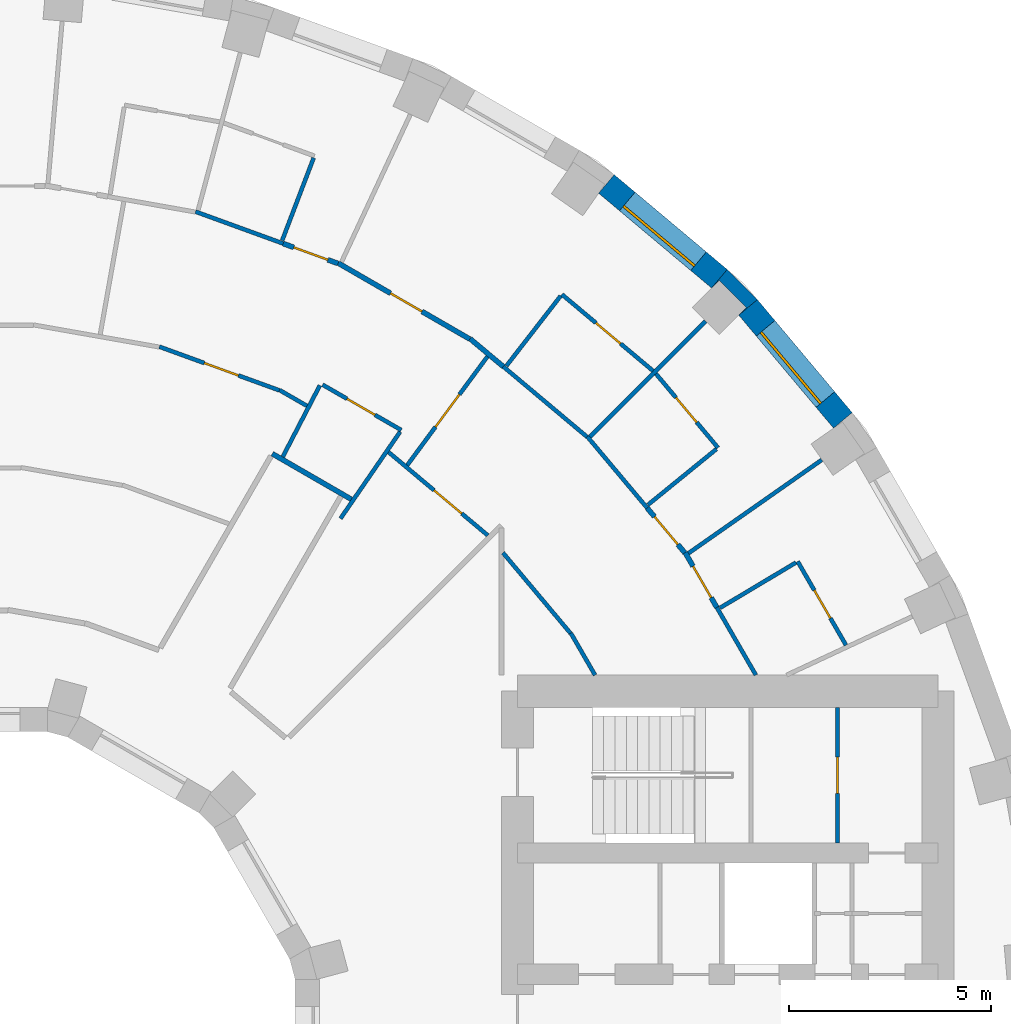
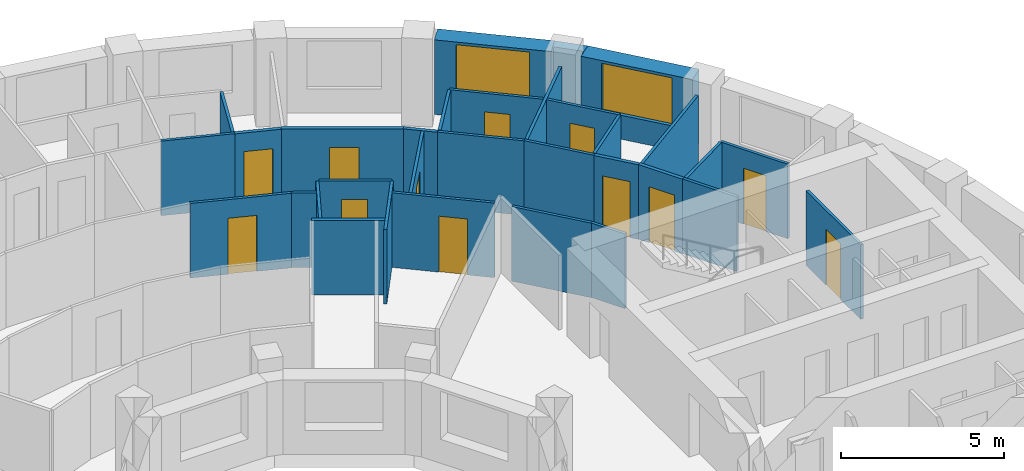
# One storey, part 12 of 14: 32 walls, 12 doors, 2 windows, 14 openings.
"""IFC4 building model written with IfcOpenShell, lengths in metres."""

import ifcopenshell
import ifcopenshell.guid

model = None  # the IFC model being written
_history = None  # IfcOwnerHistory: only IFC2X3 demands one
_inside = {}  # id of a spatial element -> (the spatial element, [elements in it])
_under = {}  # id of a project, library or spatial element -> (it, [spatial elements below it])
_declared = {}  # id of a project -> (the project, [libraries it declares])
_typed = {}  # id of a type object -> (the type object, [elements of that type])
_made_of = {}  # id of a material, layer set ... -> (it, [elements and type objects made of it])


def new_model(schema):
    """Start an empty IFC model of exactly this schema.

    Asked for "IFC4X3", IfcOpenShell would pick the latest addendum, in which some entities
    have other attributes; the version numbers below select the first issue.
    IFC2X3 requires an IfcOwnerHistory on every rooted entity: one is made here for all.
    """
    global model, _history
    if schema == "IFC4X3":
        model = ifcopenshell.file(schema_version=(4, 3, 0, 0))
    else:
        model = ifcopenshell.file(schema=schema)
    _inside.clear()
    _under.clear()
    _declared.clear()
    _typed.clear()
    _made_of.clear()
    _history = None
    if model.schema == "IFC2X3":
        org = make("IfcOrganization", Name="unknown")
        user = make(
            "IfcPersonAndOrganization",
            ThePerson=make("IfcPerson", FamilyName="unknown"),
            TheOrganization=org,
        )
        app = make(
            "IfcApplication",
            ApplicationDeveloper=org,
            Version="unknown",
            ApplicationFullName="unknown",
            ApplicationIdentifier="unknown",
        )
        _history = make(
            "IfcOwnerHistory",
            OwningUser=user,
            OwningApplication=app,
            ChangeAction="ADDED",
            CreationDate=0,
        )
    return model


def make(cls, **values):
    """One entity of the class cls with the attributes given. An attribute that is None is left unset."""
    return model.create_entity(
        cls, **{name: value for name, value in values.items() if value is not None}
    )


def rooted(cls, **values):
    """An entity with a GlobalId (a new one), such as an element, a storey or a relation."""
    return make(cls, GlobalId=ifcopenshell.guid.new(), OwnerHistory=_history, **values)


def si_unit(unit_type, name, prefix=None):
    """IfcSIUnit, for example si_unit("LENGTHUNIT", "METRE", prefix="MILLI")."""
    return make("IfcSIUnit", UnitType=unit_type, Prefix=prefix, Name=name)


def assignment(units):
    """IfcUnitAssignment: the units of a project."""
    return None if units is None else make("IfcUnitAssignment", Units=units)


def point(xyz):
    """IfcCartesianPoint."""
    return None if xyz is None else make("IfcCartesianPoint", Coordinates=xyz)


def direction(xyz):
    """IfcDirection."""
    return None if xyz is None else make("IfcDirection", DirectionRatios=xyz)


def frame(location, z_axis=None, x_axis=None):
    """IfcAxis2Placement3D, a coordinate frame: its origin and axes. An axis left out is left unset."""
    return make(
        "IfcAxis2Placement3D",
        Location=point(location),
        Axis=direction(z_axis),
        RefDirection=direction(x_axis),
    )


def frame_2d(location, x_axis=None):
    """IfcAxis2Placement2D, a coordinate frame in the plane: its origin and x axis."""
    return make(
        "IfcAxis2Placement2D", Location=point(location), RefDirection=direction(x_axis)
    )


def origin():
    """The frame at (0, 0, 0) with its axes left unset."""
    return frame((0.0, 0.0, 0.0))


def place(relative_to, where):
    """IfcLocalPlacement: puts the frame where relative to a parent placement (None: the world)."""
    return make(
        "IfcLocalPlacement", PlacementRelTo=relative_to, RelativePlacement=where
    )


def context(
    kind, dimensions, precision=None, world=None, true_north=None, identifier=None
):
    """IfcGeometricRepresentationContext, for example the 3D "Model" context."""
    return make(
        "IfcGeometricRepresentationContext",
        ContextIdentifier=identifier,
        ContextType=kind,
        CoordinateSpaceDimension=dimensions,
        Precision=precision,
        WorldCoordinateSystem=world,
        TrueNorth=true_north,
    )


def subcontext(parent, identifier, kind, view, scale=None):
    """IfcGeometricRepresentationSubContext, for example "Body" below "Model"."""
    return make(
        "IfcGeometricRepresentationSubContext",
        ContextIdentifier=identifier,
        ContextType=kind,
        ParentContext=parent,
        TargetScale=scale,
        TargetView=view,
    )


def project(units=None, contexts=None):
    """IfcProject with its units and contexts."""
    return rooted(
        "IfcProject",
        Name="project",
        RepresentationContexts=contexts,
        UnitsInContext=assignment(units),
    )


def spatial(cls, under=None, at=None, **own):
    """A site, building, storey or space (cls), placed at a placement, below another one or the project."""
    s = rooted(cls, ObjectPlacement=at, **own)
    if under is not None:
        _under.setdefault(under.id(), (under, []))[1].append(s)
    return s


def polyline(points):
    """IfcPolyline through the points."""
    return make("IfcPolyline", Points=[point(p) for p in points])


def profile(cls, at=None, kind="AREA", **sizes):
    """A parametric profile (cls). Its sizes go by their IFC names, for example OverallWidth=200.0."""
    return make(cls, ProfileType=kind, Position=at, **sizes)


def rectangle(**sizes):
    """IfcRectangleProfileDef."""
    return profile("IfcRectangleProfileDef", **sizes)


def outline(outer, holes=None, kind="AREA"):
    """IfcArbitraryClosedProfileDef: a profile drawn as a closed curve; with holes, ...WithVoids."""
    if holes is None:
        return make("IfcArbitraryClosedProfileDef", ProfileType=kind, OuterCurve=outer)
    return make(
        "IfcArbitraryProfileDefWithVoids",
        ProfileType=kind,
        OuterCurve=outer,
        InnerCurves=holes,
    )


def extrude(swept, where, along, depth):
    """IfcExtrudedAreaSolid: the profile swept, set in the frame where, extruded along a direction by depth."""
    return make(
        "IfcExtrudedAreaSolid",
        SweptArea=swept,
        Position=where,
        ExtrudedDirection=direction(along),
        Depth=depth,
    )


def shape(context_of_items, identifier, shape_type, items):
    """IfcShapeRepresentation: the items that make up one representation, for example the "Body"."""
    return make(
        "IfcShapeRepresentation",
        ContextOfItems=context_of_items,
        RepresentationIdentifier=identifier,
        RepresentationType=shape_type,
        Items=items,
    )


def material(Name=None, Category=None):
    """IfcMaterial."""
    return make("IfcMaterial", Name=Name, Category=Category)


def layer(
    of_material, thickness, ventilated=None, Name=None, Category=None, Priority=None
):
    """IfcMaterialLayer: one layer of a wall or slab, of a material (None: an air gap)."""
    return make(
        "IfcMaterialLayer",
        Material=of_material,
        LayerThickness=thickness,
        IsVentilated=ventilated,
        Name=Name,
        Category=Category,
        Priority=Priority,
    )


def layer_set(layers, Name=None):
    """IfcMaterialLayerSet."""
    return make("IfcMaterialLayerSet", MaterialLayers=layers, LayerSetName=Name)


def made_of(thing, what):
    """Note that an element or type object is made of a material, layer set ...; save() writes the relation."""
    if what is not None:
        _made_of.setdefault(what.id(), (what, []))[1].append(thing)
    return thing


def type_object(cls, material=None, **own):
    """A type object (cls), such as IfcWallType, which elements share."""
    return made_of(rooted(cls, **own), material)


def element(
    cls,
    number,
    at=None,
    inside=None,
    cuts=None,
    type_object=None,
    material=None,
    context=None,
    identifier="Body",
    shape_type=None,
    held_by="IfcProductDefinitionShape",
    body=None,
    shapes=None,
    **own,
):
    """One element of the class cls, such as IfcWall. Its Tag is "e" and its number.

    at: its placement. inside: the storey or other place that contains it. cuts: it is an
    opening in that element (IfcRelVoidsElement). A single representation is given by context,
    identifier, shape_type and body (its items); several are given by shapes. held_by: the class
    of the entity that holds the representations. save() writes the other relations.
    """
    e = rooted(cls, Tag="e%d" % number, ObjectPlacement=at, **own)
    if body is not None:
        shapes = [shape(context, identifier, shape_type, body)]
    if shapes is not None:
        e.Representation = make(held_by, Representations=shapes)
    if inside is not None:
        _inside.setdefault(inside.id(), (inside, []))[1].append(e)
    if cuts is not None:
        rooted(
            "IfcRelVoidsElement", RelatingBuildingElement=cuts, RelatedOpeningElement=e
        )
    if type_object is not None:
        _typed.setdefault(type_object.id(), (type_object, []))[1].append(e)
    return made_of(e, material)


def fill(opening, filler):
    """IfcRelFillsElement: the door or window that sits in an opening."""
    return rooted(
        "IfcRelFillsElement",
        RelatingOpeningElement=opening,
        RelatedBuildingElement=filler,
    )


def aggregate(whole, parts):
    """IfcRelAggregates: a whole, such as a stair, and the parts it consists of."""
    return rooted("IfcRelAggregates", RelatingObject=whole, RelatedObjects=parts)


def save(model, path):
    """Write the relations noted so far, then the file.

    IfcRelAggregates (storeys below a building ...), IfcRelContainedInSpatialStructure (elements
    in a storey), IfcRelDefinesByType, IfcRelAssociatesMaterial and IfcRelDeclares: one each for
    every whole, place, type object, material and project.
    """
    for whole, parts in _under.values():
        aggregate(whole, parts)
    for where, things in _inside.values():
        rooted(
            "IfcRelContainedInSpatialStructure",
            RelatedElements=things,
            RelatingStructure=where,
        )
    for kind, things in _typed.values():
        rooted("IfcRelDefinesByType", RelatedObjects=things, RelatingType=kind)
    for what, things in _made_of.values():
        rooted("IfcRelAssociatesMaterial", RelatedObjects=things, RelatingMaterial=what)
    for by, libraries in _declared.values():
        rooted("IfcRelDeclares", RelatingContext=by, RelatedDefinitions=libraries)
    model.write(path)


model = new_model("IFC4")

# Units and contexts
model_context = context("Model", 3, precision=1e-05, world=origin(), true_north=direction((0.0, 1.0)))
body_context = subcontext(model_context, "Body", "Model", "MODEL_VIEW")
ifc_project = project(units=[si_unit("LENGTHUNIT", "METRE"), si_unit("AREAUNIT", "SQUARE_METRE"), si_unit("VOLUMEUNIT", "CUBIC_METRE"), si_unit("PLANEANGLEUNIT", "RADIAN"), si_unit("MASSUNIT", "GRAM", prefix="KILO")], contexts=[model_context])

# Site, building, storey
site_placement = place(None, origin())
site = spatial("IfcSite", under=ifc_project, at=site_placement, CompositionType="ELEMENT")
building_placement = place(site_placement, origin())
building = spatial("IfcBuilding", under=site, at=building_placement, Name="Saqina Gate Tower", CompositionType="ELEMENT")
storey_placement = place(building_placement, frame((0.0, 0.0, 98.5)))
storey = spatial("IfcBuildingStorey", under=building, at=storey_placement, Name="L27", CompositionType="ELEMENT", Elevation=98.5)

# Wall
ifc_material_1 = material(Name="Brick masonry (buff)", Category="masonry")
wall_type_1 = type_object("IfcWallType", Name="BRICK PIER COPING BUFF", PredefinedType="SOLIDWALL", material=ifc_material_1)
wall_1_placement = place(storey_placement, origin())
element("IfcWall", 1, at=wall_1_placement, inside=storey, type_object=wall_type_1, Name="Pier cap L27 column 5", PredefinedType="SOLIDWALL", context=body_context, shape_type="SweptSolid", body=[
    extrude(outline(polyline([(19.43212890625, 18.686279296875), (18.686279296875, 19.43212890625), (18.30078125, 18.972412109375), (18.49072265625, 19.16259765625), (19.16259765625, 18.49072265625), (18.972412109375, 18.30078125), (19.43212890625, 18.686279296875)])), origin(), (0.0, 0.0, 1.0), 2.800048828125),
])

# Wall, opening, door
ifc_material_2 = material(Name="Gypsum board on steel studs", Category="steel")
ifc_layer_1 = layer(ifc_material_2, 0.10009765625)
ifc_layer_set_1 = layer_set([ifc_layer_1], Name="CORE PARTITION")
wall_type_2 = type_object("IfcWallType", Name="CORE PARTITION", PredefinedType="PARTITIONING", material=ifc_layer_set_1)
wall_2_placement = place(storey_placement, frame((21.409912109375, 5.25, 0.0), z_axis=(0.0, 0.0, 1.0), x_axis=(0.0, 1.0, 0.0)))
wall_2 = element("IfcWall", 2, at=wall_2_placement, inside=storey, type_object=wall_type_2, Name="L27-CP-E13", PredefinedType="PARTITIONING", context=body_context, shape_type="SweptSolid", body=[
    extrude(rectangle(XDim=3.35009765625, YDim=0.10009765625, at=frame_2d((1.675048828125, 0.0))), origin(), (0.0, 0.0, 1.0), 2.800048828125),
])
opening_1_placement = place(wall_2_placement, frame((1.22509765625, 0.0, 0.0)))
opening_1 = element("IfcOpeningElement", 3, at=opening_1_placement, cuts=wall_2, Name="Opening G07-D132", PredefinedType="OPENING", context=body_context, shape_type="SweptSolid", body=[
    extrude(rectangle(XDim=0.89990234375, YDim=2.10009765625, at=frame_2d((0.449951171875, 1.050048828125))), frame((0.0, 0.06201171875, 0.0), z_axis=(0.0, -1.0, 0.0), x_axis=(1.0, 0.0, 0.0)), (0.0, 0.0, 1.0), 0.1240234375),
])
ifc_material_3 = material(Name="Steel-framed fire door leaf, EI 60", Category="steel")
door_type_1 = type_object("IfcDoorType", Name="SERVICE ROOM DOOR 900", OperationType="SINGLE_SWING_LEFT", PredefinedType="DOOR", material=ifc_material_3)
door_1_placement = place(opening_1_placement, origin())
door_1 = element("IfcDoor", 4, at=door_1_placement, inside=storey, type_object=door_type_1, Name="L27-CD-E10", OperationType="SINGLE_SWING_RIGHT", OverallHeight=2.10009765625, OverallWidth=0.89990234375, PredefinedType="DOOR", context=body_context, shape_type="SweptSolid", body=[
    extrude(rectangle(XDim=0.89990234375, YDim=2.10009765625, at=frame_2d((0.449951171875, 1.050048828125))), frame((0.0, 0.02490234375, 0.0), z_axis=(0.0, -1.0, 0.0), x_axis=(1.0, 0.0, 0.0)), (0.0, 0.0, 1.0), 0.050048828125),
])
fill(opening_1, door_1)

# Wall, opening, window
ifc_material_4 = material(Name="Brick masonry (buff)", Category="masonry")
ifc_layer_2 = layer(ifc_material_4, 0.60009765625)
ifc_layer_set_2 = layer_set([ifc_layer_2], Name="FW-BRICK-BUFF")
wall_type_3 = type_object("IfcWallType", Name="FW-BRICK-BUFF", PredefinedType="SOLIDWALL", material=ifc_layer_set_2)
wall_3_placement = place(storey_placement, frame((21.547119140625, 15.69921875, 0.0), z_axis=(0.0, 0.0, 1.0), x_axis=(-0.642774476932, 0.766055462616, 0.0)))
wall_3 = element("IfcWall", 5, at=wall_3_placement, inside=storey, type_object=wall_type_3, Name="Facade wall L27 facet 4", PredefinedType="SOLIDWALL", context=body_context, shape_type="SweptSolid", body=[
    extrude(rectangle(XDim=3.647705078125, YDim=0.60009765625, at=frame_2d((1.82373046875, 0.0))), origin(), (0.0, 0.0, 1.0), 2.800048828125),
])
opening_2_placement = place(wall_3_placement, frame((0.673828125, 0.0, 0.89990234375)))
opening_2 = element("IfcOpeningElement", 6, at=opening_2_placement, cuts=wall_3, Name="Opening G07-W02", PredefinedType="OPENING", context=body_context, shape_type="SweptSolid", body=[
    extrude(rectangle(XDim=2.300048828125, YDim=1.800048828125, at=frame_2d((1.14990234375, 0.89990234375))), frame((0.0, 0.31201171875, 0.0), z_axis=(0.0, -1.0, 0.0), x_axis=(1.0, 0.0, 0.0)), (0.0, 0.0, 1.0), 0.6240234375),
])
ifc_material_5 = material(Name="Aluminium glazing", Category="aluminium")
window_type = type_object("IfcWindowType", Name="WN-B", PartitioningType="SINGLE_PANEL", PredefinedType="WINDOW", material=ifc_material_5)
window_1_placement = place(opening_2_placement, origin())
window_1 = element("IfcWindow", 7, at=window_1_placement, inside=storey, type_object=window_type, Name="Window L27 facet 4", OverallHeight=1.800048828125, OverallWidth=2.300048828125, PartitioningType="SINGLE_PANEL", PredefinedType="WINDOW", context=body_context, shape_type="SweptSolid", body=[
    extrude(rectangle(XDim=2.300048828125, YDim=1.800048828125, at=frame_2d((1.14990234375, 0.89990234375))), frame((0.0, 0.179931640625, 0.0), z_axis=(0.0, -1.0, 0.0), x_axis=(1.0, 0.0, 0.0)), (0.0, 0.0, 1.0), 0.06005859375),
])
fill(opening_2, window_1)

wall_4_placement = place(storey_placement, frame((18.49365234375, 19.202392578125, 0.0), z_axis=(0.0, 0.0, 1.0), x_axis=(-0.766055462616, 0.642774476932, 0.0)))
wall_4 = element("IfcWall", 8, at=wall_4_placement, inside=storey, type_object=wall_type_3, Name="Facade wall L27 facet 5", PredefinedType="SOLIDWALL", context=body_context, shape_type="SweptSolid", body=[
    extrude(rectangle(XDim=3.647705078125, YDim=0.60009765625, at=frame_2d((1.82373046875, 0.0))), origin(), (0.0, 0.0, 1.0), 2.800048828125),
])
opening_3_placement = place(wall_4_placement, frame((0.673828125, 0.0, 0.89990234375)))
opening_3 = element("IfcOpeningElement", 9, at=opening_3_placement, cuts=wall_4, Name="Opening G07-W03", PredefinedType="OPENING", context=body_context, shape_type="SweptSolid", body=[
    extrude(rectangle(XDim=2.300048828125, YDim=1.800048828125, at=frame_2d((1.14990234375, 0.89990234375))), frame((0.0, 0.31201171875, 0.0), z_axis=(0.0, -1.0, 0.0), x_axis=(1.0, 0.0, 0.0)), (0.0, 0.0, 1.0), 0.6240234375),
])
window_2_placement = place(opening_3_placement, origin())
window_2 = element("IfcWindow", 10, at=window_2_placement, inside=storey, type_object=window_type, Name="Window L27 facet 5", OverallHeight=1.800048828125, OverallWidth=2.300048828125, PartitioningType="SINGLE_PANEL", PredefinedType="WINDOW", context=body_context, shape_type="SweptSolid", body=[
    extrude(rectangle(XDim=2.300048828125, YDim=1.800048828125, at=frame_2d((1.14990234375, 0.89990234375))), frame((0.0, 0.179931640625, 0.0), z_axis=(0.0, -1.0, 0.0), x_axis=(1.0, 0.0, 0.0)), (0.0, 0.0, 1.0), 0.06005859375),
])
fill(opening_3, window_2)

# Walls
ifc_material_6 = material(Name="Gypsum board on steel studs, 100 mm", Category="steel")
ifc_layer_3 = layer(ifc_material_6, 0.10009765625)
ifc_layer_set_3 = layer_set([ifc_layer_3], Name="PARTITION 100")
wall_type_4 = type_object("IfcWallType", Name="PARTITION 100", PredefinedType="PARTITIONING", material=ifc_layer_set_3)
wall_5_placement = place(storey_placement, frame((14.818603515625, 10.43798828125, 0.0), z_axis=(0.0, 0.0, 1.0), x_axis=(0.500016292001, -0.866015997389, 0.0)))
element("IfcWall", 11, at=wall_5_placement, inside=storey, type_object=wall_type_4, Name="PARTITION PW3-11", PredefinedType="PARTITIONING", context=body_context, shape_type="SweptSolid", body=[
    extrude(rectangle(XDim=1.19873046875, YDim=0.10009765625, at=frame_2d((0.599365234375, 0.0))), origin(), (0.0, 0.0, 1.0), 2.800048828125),
])
wall_6_placement = place(storey_placement, frame((18.429931640625, 11.072265625, 0.0), z_axis=(0.0, 0.0, 1.0), x_axis=(0.500203884267, -0.865907659144, 0.0)))
element("IfcWall", 12, at=wall_6_placement, inside=storey, type_object=wall_type_4, Name="PARTITION PW3-12", PredefinedType="PARTITIONING", context=body_context, shape_type="SweptSolid", body=[
    extrude(rectangle(XDim=1.931396484375, YDim=0.10009765625, at=frame_2d((0.9658203125, 0.0))), origin(), (0.0, 0.0, 1.0), 2.800048828125),
])

# Wall, opening, door
wall_7_placement = place(storey_placement, frame((20.429931640625, 12.208984375, 0.0), z_axis=(0.0, 0.0, 1.0), x_axis=(0.500061428766, -0.865989934965, 0.0)))
wall_7 = element("IfcWall", 13, at=wall_7_placement, inside=storey, type_object=wall_type_4, Name="PARTITION PW3-13", PredefinedType="PARTITIONING", context=body_context, shape_type="SweptSolid", body=[
    extrude(rectangle(XDim=2.389892578125, YDim=0.10009765625, at=frame_2d((1.19482421875, 0.0))), origin(), (0.0, 0.0, 1.0), 2.800048828125),
])
opening_4_placement = place(wall_7_placement, frame((0.820068359375, 0.0, 0.0)))
opening_4 = element("IfcOpeningElement", 14, at=opening_4_placement, cuts=wall_7, Name="Opening G07-D01", PredefinedType="OPENING", context=body_context, shape_type="SweptSolid", body=[
    extrude(rectangle(XDim=0.800048828125, YDim=2.10009765625, at=frame_2d((0.39990234375, 1.050048828125))), frame((0.0, 0.06201171875, 0.0), z_axis=(0.0, -1.0, 0.0), x_axis=(1.0, 0.0, 0.0)), (0.0, 0.0, 1.0), 0.1240234375),
])
ifc_material_7 = material(Name="Timber door leaf, 800 mm", Category="wood")
door_type_2 = type_object("IfcDoorType", Name="DOOR 800 TIMBER", OperationType="SINGLE_SWING_LEFT", PredefinedType="DOOR", material=ifc_material_7)
door_2_placement = place(opening_4_placement, origin())
door_2 = element("IfcDoor", 15, at=door_2_placement, inside=storey, type_object=door_type_2, Name="DOOR G07-D01", OperationType="SINGLE_SWING_RIGHT", OverallHeight=2.10009765625, OverallWidth=0.800048828125, PredefinedType="DOOR", context=body_context, shape_type="SweptSolid", body=[
    extrude(rectangle(XDim=0.800048828125, YDim=2.10009765625, at=frame_2d((0.39990234375, 1.050048828125))), frame((0.0, 0.02490234375, 0.0), z_axis=(0.0, -1.0, 0.0), x_axis=(1.0, 0.0, 0.0)), (0.0, 0.0, 1.0), 0.050048828125),
])
fill(opening_4, door_2)

# Walls
wall_8_placement = place(storey_placement, frame((13.14013671875, 12.425048828125, 0.0), z_axis=(0.0, 0.0, 1.0), x_axis=(0.642692247105, -0.766124451712, 0.0)))
element("IfcWall", 16, at=wall_8_placement, inside=storey, type_object=wall_type_4, Name="PARTITION PW3-19", PredefinedType="PARTITIONING", context=body_context, shape_type="SweptSolid", body=[
    extrude(rectangle(XDim=2.60107421875, YDim=0.10009765625, at=frame_2d((1.300537109375, 0.0))), origin(), (0.0, 0.0, 1.0), 2.800048828125),
])
wall_9_placement = place(storey_placement, frame((15.2255859375, 15.298828125, 0.0), z_axis=(0.0, 0.0, 1.0), x_axis=(0.642762571273, -0.766065452145, 0.0)))
element("IfcWall", 17, at=wall_9_placement, inside=storey, type_object=wall_type_4, Name="PARTITION PW3-20", PredefinedType="PARTITIONING", context=body_context, shape_type="SweptSolid", body=[
    extrude(rectangle(XDim=2.306640625, YDim=0.10009765625, at=frame_2d((1.1533203125, 0.0))), origin(), (0.0, 0.0, 1.0), 2.800048828125),
])

# Wall, opening, door
wall_10_placement = place(storey_placement, frame((16.923095703125, 16.852783203125, 0.0), z_axis=(0.0, 0.0, 1.0), x_axis=(0.642942941421, -0.765914077477, 0.0)))
wall_10 = element("IfcWall", 18, at=wall_10_placement, inside=storey, type_object=wall_type_4, Name="PARTITION PW3-21", PredefinedType="PARTITIONING", context=body_context, shape_type="SweptSolid", body=[
    extrude(rectangle(XDim=2.390380859375, YDim=0.10009765625, at=frame_2d((1.1953125, 0.0))), origin(), (0.0, 0.0, 1.0), 2.800048828125),
])
opening_5_placement = place(wall_10_placement, frame((0.77001953125, 0.0, 0.0)))
opening_5 = element("IfcOpeningElement", 19, at=opening_5_placement, cuts=wall_10, Name="Opening G07-D04", PredefinedType="OPENING", context=body_context, shape_type="SweptSolid", body=[
    extrude(rectangle(XDim=0.800048828125, YDim=2.10009765625, at=frame_2d((0.39990234375, 1.050048828125))), frame((0.0, 0.06201171875, 0.0), z_axis=(0.0, -1.0, 0.0), x_axis=(1.0, 0.0, 0.0)), (0.0, 0.0, 1.0), 0.1240234375),
])
door_3_placement = place(opening_5_placement, origin())
door_3 = element("IfcDoor", 20, at=door_3_placement, inside=storey, type_object=door_type_2, Name="DOOR G07-D04", OperationType="SINGLE_SWING_LEFT", OverallHeight=2.10009765625, OverallWidth=0.800048828125, PredefinedType="DOOR", context=body_context, shape_type="SweptSolid", body=[
    extrude(rectangle(XDim=0.800048828125, YDim=2.10009765625, at=frame_2d((0.39990234375, 1.050048828125))), frame((0.0, 0.02490234375, 0.0), z_axis=(0.0, -1.0, 0.0), x_axis=(1.0, 0.0, 0.0)), (0.0, 0.0, 1.0), 0.050048828125),
])
fill(opening_5, door_3)

wall_11_placement = place(storey_placement, frame((10.310791015625, 14.91357421875, 0.0), z_axis=(0.0, 0.0, 1.0), x_axis=(0.766187913062, -0.642616590104, 0.0)))
wall_11 = element("IfcWall", 21, at=wall_11_placement, inside=storey, type_object=wall_type_4, Name="PARTITION PW3-26", PredefinedType="PARTITIONING", context=body_context, shape_type="SweptSolid", body=[
    extrude(rectangle(XDim=3.20458984375, YDim=0.10009765625, at=frame_2d((1.602294921875, 0.0))), origin(), (0.0, 0.0, 1.0), 2.800048828125),
])
opening_6_placement = place(wall_11_placement, frame((1.465576171875, 0.0, 0.0)))
opening_6 = element("IfcOpeningElement", 22, at=opening_6_placement, cuts=wall_11, Name="Opening G07-D06", PredefinedType="OPENING", context=body_context, shape_type="SweptSolid", body=[
    extrude(rectangle(XDim=0.89990234375, YDim=2.10009765625, at=frame_2d((0.449951171875, 1.050048828125))), frame((0.0, 0.06201171875, 0.0), z_axis=(0.0, -1.0, 0.0), x_axis=(1.0, 0.0, 0.0)), (0.0, 0.0, 1.0), 0.1240234375),
])
ifc_material_8 = material(Name="Timber door leaf, 900 mm", Category="wood")
door_type_3 = type_object("IfcDoorType", Name="DOOR 900 TIMBER", OperationType="SINGLE_SWING_LEFT", PredefinedType="DOOR", material=ifc_material_8)
door_4_placement = place(opening_6_placement, origin())
door_4 = element("IfcDoor", 23, at=door_4_placement, inside=storey, type_object=door_type_3, Name="DOOR G07-D06", OperationType="SINGLE_SWING_RIGHT", OverallHeight=2.10009765625, OverallWidth=0.89990234375, PredefinedType="DOOR", context=body_context, shape_type="SweptSolid", body=[
    extrude(rectangle(XDim=0.89990234375, YDim=2.10009765625, at=frame_2d((0.449951171875, 1.050048828125))), frame((0.0, 0.02490234375, 0.0), z_axis=(0.0, -1.0, 0.0), x_axis=(1.0, 0.0, 0.0)), (0.0, 0.0, 1.0), 0.050048828125),
])
fill(opening_6, door_4)

# Wall
wall_12_placement = place(storey_placement, frame((13.148681640625, 17.030029296875, 0.0), z_axis=(0.0, 0.0, 1.0), x_axis=(0.766003631775, -0.642836243617, 0.0)))
element("IfcWall", 24, at=wall_12_placement, inside=storey, type_object=wall_type_4, Name="PARTITION PW3-27", PredefinedType="PARTITIONING", context=body_context, shape_type="SweptSolid", body=[
    extrude(rectangle(XDim=2.70361328125, YDim=0.10009765625, at=frame_2d((1.351806640625, 0.0))), origin(), (0.0, 0.0, 1.0), 2.800048828125),
])

# Wall, opening, door
wall_13_placement = place(storey_placement, frame((14.596923828125, 18.81591796875, 0.0), z_axis=(0.0, 0.0, 1.0), x_axis=(0.766055897741, -0.642773958353, 0.0)))
wall_13 = element("IfcWall", 25, at=wall_13_placement, inside=storey, type_object=wall_type_4, Name="PARTITION PW3-28", PredefinedType="PARTITIONING", context=body_context, shape_type="SweptSolid", body=[
    extrude(rectangle(XDim=2.94482421875, YDim=0.10009765625, at=frame_2d((1.472412109375, 0.0))), origin(), (0.0, 0.0, 1.0), 2.800048828125),
])
opening_7_placement = place(wall_13_placement, frame((1.097412109375, 0.0, 0.0)))
opening_7 = element("IfcOpeningElement", 26, at=opening_7_placement, cuts=wall_13, Name="Opening G07-D05", PredefinedType="OPENING", context=body_context, shape_type="SweptSolid", body=[
    extrude(rectangle(XDim=0.800048828125, YDim=2.10009765625, at=frame_2d((0.39990234375, 1.050048828125))), frame((0.0, 0.06201171875, 0.0), z_axis=(0.0, -1.0, 0.0), x_axis=(1.0, 0.0, 0.0)), (0.0, 0.0, 1.0), 0.1240234375),
])
door_5_placement = place(opening_7_placement, origin())
door_5 = element("IfcDoor", 27, at=door_5_placement, inside=storey, type_object=door_type_2, Name="DOOR G07-D05", OperationType="SINGLE_SWING_RIGHT", OverallHeight=2.10009765625, OverallWidth=0.800048828125, PredefinedType="DOOR", context=body_context, shape_type="SweptSolid", body=[
    extrude(rectangle(XDim=0.800048828125, YDim=2.10009765625, at=frame_2d((0.39990234375, 1.050048828125))), frame((0.0, 0.02490234375, 0.0), z_axis=(0.0, -1.0, 0.0), x_axis=(1.0, 0.0, 0.0)), (0.0, 0.0, 1.0), 0.050048828125),
])
fill(opening_7, door_5)

# Wall
wall_14_placement = place(storey_placement, frame((7.61376953125, 16.448974609375, 0.0), z_axis=(0.0, 0.0, 1.0), x_axis=(0.866201164306, -0.499695450205, 0.0)))
element("IfcWall", 28, at=wall_14_placement, inside=storey, type_object=wall_type_4, Name="PARTITION PW3-34", PredefinedType="PARTITIONING", context=body_context, shape_type="SweptSolid", body=[
    extrude(rectangle(XDim=0.78271484375, YDim=0.10009765625, at=frame_2d((0.391357421875, 0.0))), origin(), (0.0, 0.0, 1.0), 2.800048828125),
])

# Wall, opening, door
wall_15_placement = place(storey_placement, frame((8.678955078125, 16.58203125, 0.0), z_axis=(0.0, 0.0, 1.0), x_axis=(0.866122264928, -0.499832194037, 0.0)))
wall_15 = element("IfcWall", 29, at=wall_15_placement, inside=storey, type_object=wall_type_4, Name="PARTITION PW3-35", PredefinedType="PARTITIONING", context=body_context, shape_type="SweptSolid", body=[
    extrude(rectangle(XDim=2.246826171875, YDim=0.10009765625, at=frame_2d((1.12353515625, 0.0))), origin(), (0.0, 0.0, 1.0), 2.800048828125),
])
opening_8_placement = place(wall_15_placement, frame((0.697509765625, 0.0, 0.0)))
opening_8 = element("IfcOpeningElement", 30, at=opening_8_placement, cuts=wall_15, Name="Opening G07-D08", PredefinedType="OPENING", context=body_context, shape_type="SweptSolid", body=[
    extrude(rectangle(XDim=0.800048828125, YDim=2.10009765625, at=frame_2d((0.39990234375, 1.050048828125))), frame((0.0, 0.06201171875, 0.0), z_axis=(0.0, -1.0, 0.0), x_axis=(1.0, 0.0, 0.0)), (0.0, 0.0, 1.0), 0.1240234375),
])
door_6_placement = place(opening_8_placement, origin())
door_6 = element("IfcDoor", 31, at=door_6_placement, inside=storey, type_object=door_type_2, Name="DOOR G07-D08", OperationType="SINGLE_SWING_LEFT", OverallHeight=2.10009765625, OverallWidth=0.800048828125, PredefinedType="DOOR", context=body_context, shape_type="SweptSolid", body=[
    extrude(rectangle(XDim=0.800048828125, YDim=2.10009765625, at=frame_2d((0.39990234375, 1.050048828125))), frame((0.0, 0.02490234375, 0.0), z_axis=(0.0, -1.0, 0.0), x_axis=(1.0, 0.0, 0.0)), (0.0, 0.0, 1.0), 0.050048828125),
])
fill(opening_8, door_6)

wall_16_placement = place(storey_placement, frame((4.642333984375, 17.521240234375, 0.0), z_axis=(0.0, 0.0, 1.0), x_axis=(0.939739258447, -0.341891980211, 0.0)))
wall_16 = element("IfcWall", 32, at=wall_16_placement, inside=storey, type_object=wall_type_4, Name="PARTITION PW3-40", PredefinedType="PARTITIONING", context=body_context, shape_type="SweptSolid", body=[
    extrude(rectangle(XDim=3.1591796875, YDim=0.10009765625, at=frame_2d((1.57958984375, 0.0))), origin(), (0.0, 0.0, 1.0), 2.800048828125),
])
opening_9_placement = place(wall_16_placement, frame((1.179931640625, 0.0, 0.0)))
opening_9 = element("IfcOpeningElement", 33, at=opening_9_placement, cuts=wall_16, Name="Opening G07-D11", PredefinedType="OPENING", context=body_context, shape_type="SweptSolid", body=[
    extrude(rectangle(XDim=0.89990234375, YDim=2.10009765625, at=frame_2d((0.449951171875, 1.050048828125))), frame((0.0, 0.06201171875, 0.0), z_axis=(0.0, -1.0, 0.0), x_axis=(1.0, 0.0, 0.0)), (0.0, 0.0, 1.0), 0.1240234375),
])
door_7_placement = place(opening_9_placement, frame((0.89990234375, 0.0, 0.0), z_axis=(0.0, 0.0, 1.0), x_axis=(-1.0, 0.0, 0.0)))
door_7 = element("IfcDoor", 34, at=door_7_placement, inside=storey, type_object=door_type_3, Name="DOOR G07-D11", OperationType="SINGLE_SWING_LEFT", OverallHeight=2.10009765625, OverallWidth=0.89990234375, PredefinedType="DOOR", context=body_context, shape_type="SweptSolid", body=[
    extrude(rectangle(XDim=0.89990234375, YDim=2.10009765625, at=frame_2d((0.449951171875, 1.050048828125))), frame((0.0, 0.02490234375, 0.0), z_axis=(0.0, -1.0, 0.0), x_axis=(1.0, 0.0, 0.0)), (0.0, 0.0, 1.0), 0.050048828125),
])
fill(opening_9, door_7)

# Walls
wall_17_placement = place(storey_placement, frame((5.537353515625, 20.861328125, 0.0), z_axis=(0.0, 0.0, 1.0), x_axis=(0.939734670151, -0.34190459154, 0.0)))
element("IfcWall", 35, at=wall_17_placement, inside=storey, type_object=wall_type_4, Name="PARTITION PW3-41", PredefinedType="PARTITIONING", context=body_context, shape_type="SweptSolid", body=[
    extrude(rectangle(XDim=2.3056640625, YDim=0.10009765625, at=frame_2d((1.15283203125, 0.0))), origin(), (0.0, 0.0, 1.0), 2.800048828125),
])
wall_18_placement = place(storey_placement, frame((18.508544921875, 11.06103515625, 0.0), z_axis=(0.0, 0.0, 1.0), x_axis=(0.85844638645, 0.512903306279, 0.0)))
element("IfcWall", 36, at=wall_18_placement, inside=storey, type_object=wall_type_4, Name="PARTITION PW3-74", PredefinedType="PARTITIONING", context=body_context, shape_type="SweptSolid", body=[
    extrude(rectangle(XDim=2.188232421875, YDim=0.10009765625, at=frame_2d((1.09423828125, 0.0))), origin(), (0.0, 0.0, 1.0), 2.800048828125),
])
wall_19_placement = place(storey_placement, frame((17.728271484375, 12.412841796875, 0.0), z_axis=(0.0, 0.0, 1.0), x_axis=(0.819106461113, 0.573641530368, 0.0)))
element("IfcWall", 37, at=wall_19_placement, inside=storey, type_object=wall_type_4, Name="PARTITION PW3-75", PredefinedType="PARTITIONING", context=body_context, shape_type="SweptSolid", body=[
    extrude(rectangle(XDim=4.023193359375, YDim=0.10009765625, at=frame_2d((2.01171875, 0.0))), origin(), (0.0, 0.0, 1.0), 2.800048828125),
])
wall_20_placement = place(storey_placement, frame((16.724365234375, 13.609375, 0.0), z_axis=(0.0, 0.0, 1.0), x_axis=(0.77556073315, 0.631272959342, 0.0)))
element("IfcWall", 38, at=wall_20_placement, inside=storey, type_object=wall_type_4, Name="PARTITION PW3-77", PredefinedType="PARTITIONING", context=body_context, shape_type="SweptSolid", body=[
    extrude(rectangle(XDim=2.187744140625, YDim=0.10009765625, at=frame_2d((1.09375, 0.0))), origin(), (0.0, 0.0, 1.0), 2.800048828125),
])
wall_21_placement = place(storey_placement, frame((15.29443359375, 15.29443359375, 0.0), z_axis=(0.0, 0.0, 1.0), x_axis=(0.707106781187, 0.707106781187, 0.0)))
element("IfcWall", 39, at=wall_21_placement, inside=storey, type_object=wall_type_4, Name="PARTITION PW3-80", PredefinedType="PARTITIONING", context=body_context, shape_type="SweptSolid", body=[
    extrude(rectangle(XDim=4.035400390625, YDim=0.10009765625, at=frame_2d((2.017578125, 0.0))), origin(), (0.0, 0.0, 1.0), 2.800048828125),
])
wall_22_placement = place(storey_placement, frame((13.225341796875, 17.04736328125, 0.0), z_axis=(0.0, 0.0, 1.0), x_axis=(0.612827784587, 0.790216493398, 0.0)))
element("IfcWall", 40, at=wall_22_placement, inside=storey, type_object=wall_type_4, Name="PARTITION PW3-83", PredefinedType="PARTITIONING", context=body_context, shape_type="SweptSolid", body=[
    extrude(rectangle(XDim=2.188232421875, YDim=0.10009765625, at=frame_2d((1.09423828125, 0.0))), origin(), (0.0, 0.0, 1.0), 2.800048828125),
])

# Wall, opening, door
wall_23_placement = place(storey_placement, frame((10.772705078125, 14.59130859375, 0.0), z_axis=(0.0, 0.0, 1.0), x_axis=(0.593899624956, 0.804539144776, 0.0)))
wall_23 = element("IfcWall", 41, at=wall_23_placement, inside=storey, type_object=wall_type_4, Name="PARTITION PW3-84", PredefinedType="PARTITIONING", context=body_context, shape_type="SweptSolid", body=[
    extrude(rectangle(XDim=3.339111328125, YDim=0.10009765625, at=frame_2d((1.66943359375, 0.0))), origin(), (0.0, 0.0, 1.0), 2.800048828125),
])
opening_10_placement = place(wall_23_placement, frame((1.17578125, 0.0, 0.0)))
opening_10 = element("IfcOpeningElement", 42, at=opening_10_placement, cuts=wall_23, Name="Opening G07-D07", PredefinedType="OPENING", context=body_context, shape_type="SweptSolid", body=[
    extrude(rectangle(XDim=1.0, YDim=2.10009765625, at=frame_2d((0.5, 1.050048828125))), frame((0.0, 0.06201171875, 0.0), z_axis=(0.0, -1.0, 0.0), x_axis=(1.0, 0.0, 0.0)), (0.0, 0.0, 1.0), 0.1240234375),
])
ifc_material_9 = material(Name="Timber door leaf, 1000 mm", Category="wood")
door_type_4 = type_object("IfcDoorType", Name="DOOR 1000 TIMBER", OperationType="SINGLE_SWING_LEFT", PredefinedType="DOOR", material=ifc_material_9)
door_8_placement = place(opening_10_placement, frame((1.0, 0.0, 0.0), z_axis=(0.0, 0.0, 1.0), x_axis=(-1.0, 0.0, 0.0)))
door_8 = element("IfcDoor", 43, at=door_8_placement, inside=storey, type_object=door_type_4, Name="DOOR G07-D07", OperationType="SINGLE_SWING_LEFT", OverallHeight=2.10009765625, OverallWidth=1.0, PredefinedType="DOOR", context=body_context, shape_type="SweptSolid", body=[
    extrude(rectangle(XDim=1.0, YDim=2.10009765625, at=frame_2d((0.5, 1.050048828125))), frame((0.0, 0.02490234375, 0.0), z_axis=(0.0, -1.0, 0.0), x_axis=(1.0, 0.0, 0.0)), (0.0, 0.0, 1.0), 0.050048828125),
])
fill(opening_10, door_8)

# Walls
wall_24_placement = place(storey_placement, frame((9.122314453125, 13.2724609375, 0.0), z_axis=(0.0, 0.0, 1.0), x_axis=(0.566405338298, 0.82412680623, 0.0)))
element("IfcWall", 44, at=wall_24_placement, inside=storey, type_object=wall_type_4, Name="PARTITION PW3-86", PredefinedType="PARTITIONING", context=body_context, shape_type="SweptSolid", body=[
    extrude(rectangle(XDim=2.601318359375, YDim=0.10009765625, at=frame_2d((1.30078125, 0.0))), origin(), (0.0, 0.0, 1.0), 2.800048828125),
])
wall_25_placement = place(storey_placement, frame((7.6943359375, 14.799560546875, 0.0), z_axis=(0.0, 0.0, 1.0), x_axis=(0.461012435149, 0.887393675117, 0.0)))
element("IfcWall", 45, at=wall_25_placement, inside=storey, type_object=wall_type_4, Name="PARTITION PW3-89", PredefinedType="PARTITIONING", context=body_context, shape_type="SweptSolid", body=[
    extrude(rectangle(XDim=1.988037109375, YDim=0.10009765625, at=frame_2d((0.994140625, 0.0))), origin(), (0.0, 0.0, 1.0), 2.800048828125),
])
wall_26_placement = place(storey_placement, frame((7.679443359375, 20.14892578125, 0.0), z_axis=(0.0, 0.0, 1.0), x_axis=(0.356134598474, 0.93443466747, 0.0)))
element("IfcWall", 46, at=wall_26_placement, inside=storey, type_object=wall_type_4, Name="PARTITION PW3-93", PredefinedType="PARTITIONING", context=body_context, shape_type="SweptSolid", body=[
    extrude(rectangle(XDim=2.186767578125, YDim=0.10009765625, at=frame_2d((1.09326171875, 0.0))), origin(), (0.0, 0.0, 1.0), 2.800048828125),
])

# Wall, opening, door
ifc_material_10 = material(Name="Gypsum board on steel studs, 125 mm, fire rated", Category="steel")
ifc_layer_4 = layer(ifc_material_10, 0.125)
ifc_layer_set_4 = layer_set([ifc_layer_4], Name="PARTITION EI 30 125")
wall_type_5 = type_object("IfcWallType", Name="PARTITION EI 30 125", PredefinedType="PARTITIONING", material=ifc_layer_set_4)
wall_27_placement = place(storey_placement, frame((17.645263671875, 12.431884765625, 0.0), z_axis=(0.0, 0.0, 1.0), x_axis=(0.499852597388, -0.866110489998, 0.0)))
wall_27 = element("IfcWall", 47, at=wall_27_placement, inside=storey, type_object=wall_type_5, Name="PARTITION PW1-05", PredefinedType="PARTITIONING", context=body_context, shape_type="SweptSolid", body=[
    extrude(rectangle(XDim=1.56982421875, YDim=0.125, at=frame_2d((0.784912109375, 0.0))), origin(), (0.0, 0.0, 1.0), 2.800048828125),
])
opening_11_placement = place(wall_27_placement, frame((0.3916015625, 0.0, 0.0)))
opening_11 = element("IfcOpeningElement", 48, at=opening_11_placement, cuts=wall_27, Name="Opening G07-D02", PredefinedType="OPENING", context=body_context, shape_type="SweptSolid", body=[
    extrude(rectangle(XDim=0.89990234375, YDim=2.10009765625, at=frame_2d((0.449951171875, 1.050048828125))), frame((0.0, 0.074462890625, 0.0), z_axis=(0.0, -1.0, 0.0), x_axis=(1.0, 0.0, 0.0)), (0.0, 0.0, 1.0), 0.14892578125),
])
ifc_material_11 = material(Name="Fire door leaf EI 30, 900 mm")
door_type_5 = type_object("IfcDoorType", Name="DOOR 900 EI 30", OperationType="SINGLE_SWING_LEFT", PredefinedType="DOOR", material=ifc_material_11)
door_9_placement = place(opening_11_placement, frame((0.89990234375, 0.0, 0.0), z_axis=(0.0, 0.0, 1.0), x_axis=(-1.0, 0.0, 0.0)))
door_9 = element("IfcDoor", 49, at=door_9_placement, inside=storey, type_object=door_type_5, Name="DOOR G07-D02", OperationType="SINGLE_SWING_RIGHT", OverallHeight=2.10009765625, OverallWidth=0.89990234375, PredefinedType="DOOR", context=body_context, shape_type="SweptSolid", body=[
    extrude(rectangle(XDim=0.89990234375, YDim=2.10009765625, at=frame_2d((0.449951171875, 1.050048828125))), frame((0.0, 0.02490234375, 0.0), z_axis=(0.0, -1.0, 0.0), x_axis=(1.0, 0.0, 0.0)), (0.0, 0.0, 1.0), 0.050048828125),
])
fill(opening_11, door_9)

wall_28_placement = place(storey_placement, frame((16.708251953125, 13.53173828125, 0.0), z_axis=(0.0, 0.0, 1.0), x_axis=(0.642641061866, -0.766167387458, 0.0)))
wall_28 = element("IfcWall", 50, at=wall_28_placement, inside=storey, type_object=wall_type_5, Name="PARTITION PW1-08", PredefinedType="PARTITIONING", context=body_context, shape_type="SweptSolid", body=[
    extrude(rectangle(XDim=1.44482421875, YDim=0.125, at=frame_2d((0.722412109375, 0.0))), origin(), (0.0, 0.0, 1.0), 2.800048828125),
])
opening_12_placement = place(wall_28_placement, frame((0.27880859375, 0.0, 0.0)))
opening_12 = element("IfcOpeningElement", 51, at=opening_12_placement, cuts=wall_28, Name="Opening G07-D03", PredefinedType="OPENING", context=body_context, shape_type="SweptSolid", body=[
    extrude(rectangle(XDim=0.89990234375, YDim=2.10009765625, at=frame_2d((0.449951171875, 1.050048828125))), frame((0.0, 0.074462890625, 0.0), z_axis=(0.0, -1.0, 0.0), x_axis=(1.0, 0.0, 0.0)), (0.0, 0.0, 1.0), 0.14892578125),
])
door_10_placement = place(opening_12_placement, frame((0.89990234375, 0.0, 0.0), z_axis=(0.0, 0.0, 1.0), x_axis=(-1.0, 0.0, 0.0)))
door_10 = element("IfcDoor", 52, at=door_10_placement, inside=storey, type_object=door_type_5, Name="DOOR G07-D03", OperationType="SINGLE_SWING_LEFT", OverallHeight=2.10009765625, OverallWidth=0.89990234375, PredefinedType="DOOR", context=body_context, shape_type="SweptSolid", body=[
    extrude(rectangle(XDim=0.89990234375, YDim=2.10009765625, at=frame_2d((0.449951171875, 1.050048828125))), frame((0.0, 0.02490234375, 0.0), z_axis=(0.0, -1.0, 0.0), x_axis=(1.0, 0.0, 0.0)), (0.0, 0.0, 1.0), 0.050048828125),
])
fill(opening_12, door_10)

# Walls
wall_29_placement = place(storey_placement, frame((12.328369140625, 17.7177734375, 0.0), z_axis=(0.0, 0.0, 1.0), x_axis=(0.766311067441, -0.642469725292, 0.0)))
element("IfcWall", 53, at=wall_29_placement, inside=storey, type_object=wall_type_5, Name="PARTITION PW1-14", PredefinedType="PARTITIONING", context=body_context, shape_type="SweptSolid", body=[
    extrude(rectangle(XDim=1.070556640625, YDim=0.125, at=frame_2d((0.53515625, 0.0))), origin(), (0.0, 0.0, 1.0), 2.800048828125),
])
wall_30_placement = place(storey_placement, frame((7.435791015625, 14.875, 0.0), z_axis=(0.0, 0.0, 1.0), x_axis=(0.866028691075, -0.499994306202, 0.0)))
element("IfcWall", 54, at=wall_30_placement, inside=storey, type_object=wall_type_5, Name="PARTITION PW1-17", PredefinedType="PARTITIONING", context=body_context, shape_type="SweptSolid", body=[
    extrude(rectangle(XDim=2.25439453125, YDim=0.125, at=frame_2d((1.127197265625, 0.0))), origin(), (0.0, 0.0, 1.0), 2.800048828125),
])

# Wall, opening, door
wall_31_placement = place(storey_placement, frame((9.06494140625, 19.58984375, 0.0), z_axis=(0.0, 0.0, 1.0), x_axis=(0.865961876044, -0.500110017135, 0.0)))
wall_31 = element("IfcWall", 55, at=wall_31_placement, inside=storey, type_object=wall_type_5, Name="PARTITION PW1-18", PredefinedType="PARTITIONING", context=body_context, shape_type="SweptSolid", body=[
    extrude(rectangle(XDim=3.762451171875, YDim=0.125, at=frame_2d((1.88134765625, 0.0))), origin(), (0.0, 0.0, 1.0), 2.800048828125),
])
opening_13_placement = place(wall_31_placement, frame((1.493896484375, 0.0, 0.0)))
opening_13 = element("IfcOpeningElement", 56, at=opening_13_placement, cuts=wall_31, Name="Opening G07-D09", PredefinedType="OPENING", context=body_context, shape_type="SweptSolid", body=[
    extrude(rectangle(XDim=0.89990234375, YDim=2.10009765625, at=frame_2d((0.449951171875, 1.050048828125))), frame((0.0, 0.074462890625, 0.0), z_axis=(0.0, -1.0, 0.0), x_axis=(1.0, 0.0, 0.0)), (0.0, 0.0, 1.0), 0.14892578125),
])
door_11_placement = place(opening_13_placement, origin())
door_11 = element("IfcDoor", 57, at=door_11_placement, inside=storey, type_object=door_type_5, Name="DOOR G07-D09", OperationType="SINGLE_SWING_RIGHT", OverallHeight=2.10009765625, OverallWidth=0.89990234375, PredefinedType="DOOR", context=body_context, shape_type="SweptSolid", body=[
    extrude(rectangle(XDim=0.89990234375, YDim=2.10009765625, at=frame_2d((0.449951171875, 1.050048828125))), frame((0.0, 0.02490234375, 0.0), z_axis=(0.0, -1.0, 0.0), x_axis=(1.0, 0.0, 0.0)), (0.0, 0.0, 1.0), 0.050048828125),
])
fill(opening_13, door_11)

wall_32_placement = place(storey_placement, frame((7.7041015625, 20.072998046875, 0.0), z_axis=(0.0, 0.0, 1.0), x_axis=(0.939763804893, -0.341824503237, 0.0)))
wall_32 = element("IfcWall", 58, at=wall_32_placement, inside=storey, type_object=wall_type_5, Name="PARTITION PW1-22", PredefinedType="PARTITIONING", context=body_context, shape_type="SweptSolid", body=[
    extrude(rectangle(XDim=1.444091796875, YDim=0.125, at=frame_2d((0.72216796875, 0.0))), origin(), (0.0, 0.0, 1.0), 2.800048828125),
])
opening_14_placement = place(wall_32_placement, frame((0.2783203125, 0.0, 0.0)))
opening_14 = element("IfcOpeningElement", 59, at=opening_14_placement, cuts=wall_32, Name="Opening G07-D10", PredefinedType="OPENING", context=body_context, shape_type="SweptSolid", body=[
    extrude(rectangle(XDim=0.89990234375, YDim=2.10009765625, at=frame_2d((0.449951171875, 1.050048828125))), frame((0.0, 0.074462890625, 0.0), z_axis=(0.0, -1.0, 0.0), x_axis=(1.0, 0.0, 0.0)), (0.0, 0.0, 1.0), 0.14892578125),
])
door_12_placement = place(opening_14_placement, frame((0.89990234375, 0.0, 0.0), z_axis=(0.0, 0.0, 1.0), x_axis=(-1.0, 0.0, 0.0)))
door_12 = element("IfcDoor", 60, at=door_12_placement, inside=storey, type_object=door_type_5, Name="DOOR G07-D10", OperationType="SINGLE_SWING_LEFT", OverallHeight=2.10009765625, OverallWidth=0.89990234375, PredefinedType="DOOR", context=body_context, shape_type="SweptSolid", body=[
    extrude(rectangle(XDim=0.89990234375, YDim=2.10009765625, at=frame_2d((0.449951171875, 1.050048828125))), frame((0.0, 0.02490234375, 0.0), z_axis=(0.0, -1.0, 0.0), x_axis=(1.0, 0.0, 0.0)), (0.0, 0.0, 1.0), 0.050048828125),
])
fill(opening_14, door_12)

save(model, "model.ifc")
